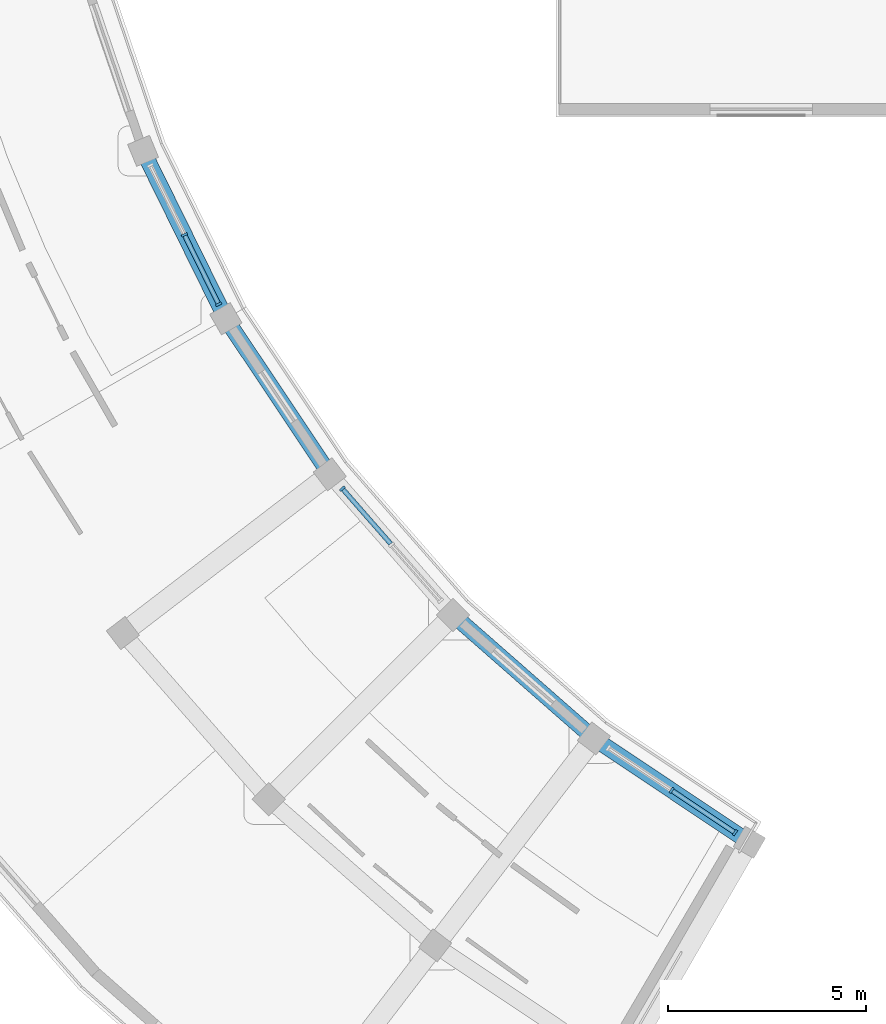
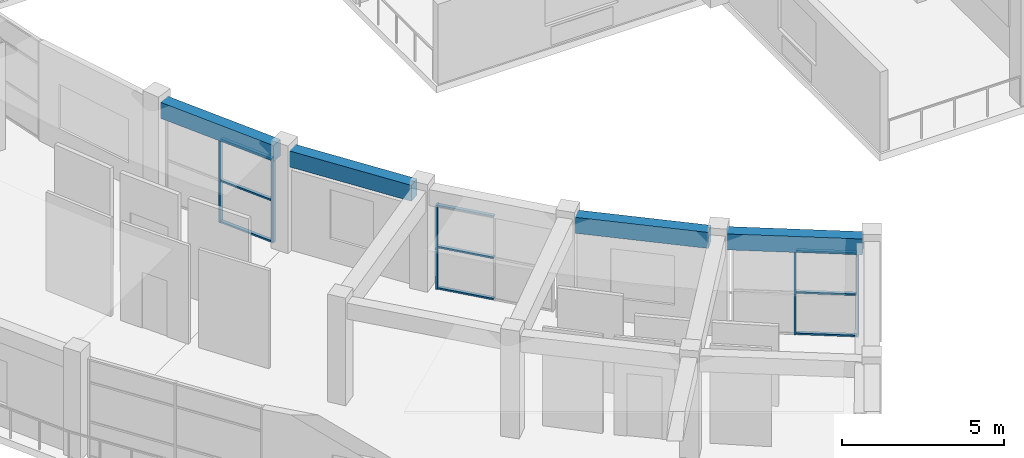
# One storey, part 14 of 70: 14 members, 4 beams, 3 elements without a shape of their own.
"""IFC4 building model written with IfcOpenShell, lengths in metres."""

import ifcopenshell
import ifcopenshell.guid

model = None  # the IFC model being written
_history = None  # IfcOwnerHistory: only IFC2X3 demands one
_inside = {}  # id of a spatial element -> (the spatial element, [elements in it])
_under = {}  # id of a project, library or spatial element -> (it, [spatial elements below it])
_declared = {}  # id of a project -> (the project, [libraries it declares])
_typed = {}  # id of a type object -> (the type object, [elements of that type])
_made_of = {}  # id of a material, layer set ... -> (it, [elements and type objects made of it])


def new_model(schema):
    """Start an empty IFC model of exactly this schema.

    Asked for "IFC4X3", IfcOpenShell would pick the latest addendum, in which some entities
    have other attributes; the version numbers below select the first issue.
    IFC2X3 requires an IfcOwnerHistory on every rooted entity: one is made here for all.
    """
    global model, _history
    if schema == "IFC4X3":
        model = ifcopenshell.file(schema_version=(4, 3, 0, 0))
    else:
        model = ifcopenshell.file(schema=schema)
    _inside.clear()
    _under.clear()
    _declared.clear()
    _typed.clear()
    _made_of.clear()
    _history = None
    if model.schema == "IFC2X3":
        org = make("IfcOrganization", Name="unknown")
        user = make(
            "IfcPersonAndOrganization",
            ThePerson=make("IfcPerson", FamilyName="unknown"),
            TheOrganization=org,
        )
        app = make(
            "IfcApplication",
            ApplicationDeveloper=org,
            Version="unknown",
            ApplicationFullName="unknown",
            ApplicationIdentifier="unknown",
        )
        _history = make(
            "IfcOwnerHistory",
            OwningUser=user,
            OwningApplication=app,
            ChangeAction="ADDED",
            CreationDate=0,
        )
    return model


def make(cls, **values):
    """One entity of the class cls with the attributes given. An attribute that is None is left unset."""
    return model.create_entity(
        cls, **{name: value for name, value in values.items() if value is not None}
    )


def rooted(cls, **values):
    """An entity with a GlobalId (a new one), such as an element, a storey or a relation."""
    return make(cls, GlobalId=ifcopenshell.guid.new(), OwnerHistory=_history, **values)


def si_unit(unit_type, name, prefix=None):
    """IfcSIUnit, for example si_unit("LENGTHUNIT", "METRE", prefix="MILLI")."""
    return make("IfcSIUnit", UnitType=unit_type, Prefix=prefix, Name=name)


def assignment(units):
    """IfcUnitAssignment: the units of a project."""
    return None if units is None else make("IfcUnitAssignment", Units=units)


def point(xyz):
    """IfcCartesianPoint."""
    return None if xyz is None else make("IfcCartesianPoint", Coordinates=xyz)


def direction(xyz):
    """IfcDirection."""
    return None if xyz is None else make("IfcDirection", DirectionRatios=xyz)


def frame(location, z_axis=None, x_axis=None):
    """IfcAxis2Placement3D, a coordinate frame: its origin and axes. An axis left out is left unset."""
    return make(
        "IfcAxis2Placement3D",
        Location=point(location),
        Axis=direction(z_axis),
        RefDirection=direction(x_axis),
    )


def frame_2d(location, x_axis=None):
    """IfcAxis2Placement2D, a coordinate frame in the plane: its origin and x axis."""
    return make(
        "IfcAxis2Placement2D", Location=point(location), RefDirection=direction(x_axis)
    )


def origin():
    """The frame at (0, 0, 0) with its axes left unset."""
    return frame((0.0, 0.0, 0.0))


def origin_2d():
    """The frame at (0, 0) in the plane with its x axis left unset."""
    return frame_2d((0.0, 0.0))


def place(relative_to, where):
    """IfcLocalPlacement: puts the frame where relative to a parent placement (None: the world)."""
    return make(
        "IfcLocalPlacement", PlacementRelTo=relative_to, RelativePlacement=where
    )


def context(
    kind, dimensions, precision=None, world=None, true_north=None, identifier=None
):
    """IfcGeometricRepresentationContext, for example the 3D "Model" context."""
    return make(
        "IfcGeometricRepresentationContext",
        ContextIdentifier=identifier,
        ContextType=kind,
        CoordinateSpaceDimension=dimensions,
        Precision=precision,
        WorldCoordinateSystem=world,
        TrueNorth=true_north,
    )


def subcontext(parent, identifier, kind, view, scale=None):
    """IfcGeometricRepresentationSubContext, for example "Body" below "Model"."""
    return make(
        "IfcGeometricRepresentationSubContext",
        ContextIdentifier=identifier,
        ContextType=kind,
        ParentContext=parent,
        TargetScale=scale,
        TargetView=view,
    )


def project(units=None, contexts=None):
    """IfcProject with its units and contexts."""
    return rooted(
        "IfcProject",
        Name="project",
        RepresentationContexts=contexts,
        UnitsInContext=assignment(units),
    )


def spatial(cls, under=None, at=None, **own):
    """A site, building, storey or space (cls), placed at a placement, below another one or the project."""
    s = rooted(cls, ObjectPlacement=at, **own)
    if under is not None:
        _under.setdefault(under.id(), (under, []))[1].append(s)
    return s


def profile(cls, at=None, kind="AREA", **sizes):
    """A parametric profile (cls). Its sizes go by their IFC names, for example OverallWidth=200.0."""
    return make(cls, ProfileType=kind, Position=at, **sizes)


def rectangle(**sizes):
    """IfcRectangleProfileDef."""
    return profile("IfcRectangleProfileDef", **sizes)


def extrude(swept, where, along, depth):
    """IfcExtrudedAreaSolid: the profile swept, set in the frame where, extruded along a direction by depth."""
    return make(
        "IfcExtrudedAreaSolid",
        SweptArea=swept,
        Position=where,
        ExtrudedDirection=direction(along),
        Depth=depth,
    )


def shape(context_of_items, identifier, shape_type, items):
    """IfcShapeRepresentation: the items that make up one representation, for example the "Body"."""
    return make(
        "IfcShapeRepresentation",
        ContextOfItems=context_of_items,
        RepresentationIdentifier=identifier,
        RepresentationType=shape_type,
        Items=items,
    )


def material(Name=None, Category=None):
    """IfcMaterial."""
    return make("IfcMaterial", Name=Name, Category=Category)


def material_profile(
    of_material, cross_section, Name=None, Category=None, Priority=None
):
    """IfcMaterialProfile: a cross section and its material."""
    return make(
        "IfcMaterialProfile",
        Name=Name,
        Material=of_material,
        Profile=cross_section,
        Priority=Priority,
        Category=Category,
    )


def profile_set(profiles, Name=None, composite=None):
    """IfcMaterialProfileSet."""
    return make(
        "IfcMaterialProfileSet",
        Name=Name,
        MaterialProfiles=profiles,
        CompositeProfile=composite,
    )


def made_of(thing, what):
    """Note that an element or type object is made of a material, layer set ...; save() writes the relation."""
    if what is not None:
        _made_of.setdefault(what.id(), (what, []))[1].append(thing)
    return thing


def type_object(cls, material=None, **own):
    """A type object (cls), such as IfcWallType, which elements share."""
    return made_of(rooted(cls, **own), material)


def element(
    cls,
    number,
    at=None,
    inside=None,
    cuts=None,
    type_object=None,
    material=None,
    context=None,
    identifier="Body",
    shape_type=None,
    held_by="IfcProductDefinitionShape",
    body=None,
    shapes=None,
    **own,
):
    """One element of the class cls, such as IfcWall. Its Tag is "e" and its number.

    at: its placement. inside: the storey or other place that contains it. cuts: it is an
    opening in that element (IfcRelVoidsElement). A single representation is given by context,
    identifier, shape_type and body (its items); several are given by shapes. held_by: the class
    of the entity that holds the representations. save() writes the other relations.
    """
    e = rooted(cls, Tag="e%d" % number, ObjectPlacement=at, **own)
    if body is not None:
        shapes = [shape(context, identifier, shape_type, body)]
    if shapes is not None:
        e.Representation = make(held_by, Representations=shapes)
    if inside is not None:
        _inside.setdefault(inside.id(), (inside, []))[1].append(e)
    if cuts is not None:
        rooted(
            "IfcRelVoidsElement", RelatingBuildingElement=cuts, RelatedOpeningElement=e
        )
    if type_object is not None:
        _typed.setdefault(type_object.id(), (type_object, []))[1].append(e)
    return made_of(e, material)


def aggregate(whole, parts):
    """IfcRelAggregates: a whole, such as a stair, and the parts it consists of."""
    return rooted("IfcRelAggregates", RelatingObject=whole, RelatedObjects=parts)


def save(model, path):
    """Write the relations noted so far, then the file.

    IfcRelAggregates (storeys below a building ...), IfcRelContainedInSpatialStructure (elements
    in a storey), IfcRelDefinesByType, IfcRelAssociatesMaterial and IfcRelDeclares: one each for
    every whole, place, type object, material and project.
    """
    for whole, parts in _under.values():
        aggregate(whole, parts)
    for where, things in _inside.values():
        rooted(
            "IfcRelContainedInSpatialStructure",
            RelatedElements=things,
            RelatingStructure=where,
        )
    for kind, things in _typed.values():
        rooted("IfcRelDefinesByType", RelatedObjects=things, RelatingType=kind)
    for what, things in _made_of.values():
        rooted("IfcRelAssociatesMaterial", RelatedObjects=things, RelatingMaterial=what)
    for by, libraries in _declared.values():
        rooted("IfcRelDeclares", RelatingContext=by, RelatedDefinitions=libraries)
    model.write(path)


model = new_model("IFC4")

# Units and contexts
model_context = context("Model", 3, precision=1e-05, world=origin(), true_north=direction((0.0, 1.0)))
body_context = subcontext(model_context, "Body", "Model", "MODEL_VIEW")
ifc_project = project(units=[si_unit("LENGTHUNIT", "METRE"), si_unit("AREAUNIT", "SQUARE_METRE"), si_unit("VOLUMEUNIT", "CUBIC_METRE"), si_unit("PLANEANGLEUNIT", "RADIAN"), si_unit("MASSUNIT", "GRAM", prefix="KILO")], contexts=[model_context])

# Site, building, storey
site_placement = place(None, origin())
site = spatial("IfcSite", under=ifc_project, at=site_placement, CompositionType="ELEMENT")
building_placement = place(site_placement, origin())
building = spatial("IfcBuilding", under=site, at=building_placement, Name="Saryqyr Civic Hall", CompositionType="ELEMENT")
storey_placement = place(building_placement, frame((0.0, 0.0, 13.199951171875)))
storey = spatial("IfcBuildingStorey", under=building, at=storey_placement, Name="L03", CompositionType="ELEMENT", Elevation=13.199951171875)

# Curtain wall, members
ifc_material_1 = material(Name="Anodised aluminium and triple low-E glass", Category="aluminium")
curtain_wall_type_1 = type_object("IfcCurtainWallType", Name="ENV-CW-STD-21", PredefinedType="NOTDEFINED", material=ifc_material_1)
curtain_wall_1_placement = place(storey_placement, origin())
curtain_wall_1 = element("IfcCurtainWall", 1, at=curtain_wall_1_placement, inside=storey, type_object=curtain_wall_type_1, Name="Curtain wall V4-CWI-L03-05", PredefinedType="NOTDEFINED")
ifc_material_2 = material(Name="Anodised aluminium", Category="aluminium")
ifc_material_profile_1 = material_profile(ifc_material_2, rectangle(XDim=0.06005859375, YDim=0.159912109375, at=origin_2d()), Name="ALU MULLION 60x160")
ifc_profile_set_1 = profile_set([ifc_material_profile_1], Name="Anodised aluminium")
member_type_1 = type_object("IfcMemberType", Name="ENV-CW-MUL-180", PredefinedType="MULLION", material=ifc_profile_set_1)
member_1_placement = place(storey_placement, frame((24.602783203125, 68.0234375, 0.0), z_axis=(0.0, 0.0, 1.0), x_axis=(0.44226837931, -0.896882757479, 0.0)))
member_1 = element("IfcMember", 2, at=member_1_placement, type_object=member_type_1, Name="CW-21 mullion 2", PredefinedType="MULLION", context=body_context, shape_type="SweptSolid", body=[
    extrude(rectangle(XDim=0.06005859375, YDim=0.159912109375, at=origin_2d()), origin(), (0.0, 0.0, 1.0), 3.1650390625),
])
member_2_placement = place(storey_placement, frame((25.468994140625, 66.266845703125, 0.0), z_axis=(0.0, 0.0, 1.0), x_axis=(0.44226837931, -0.896882757479, 0.0)))
member_2 = element("IfcMember", 3, at=member_2_placement, type_object=member_type_1, Name="CW-21 mullion 3", PredefinedType="MULLION", context=body_context, shape_type="SweptSolid", body=[
    extrude(rectangle(XDim=0.06005859375, YDim=0.159912109375, at=origin_2d()), origin(), (0.0, 0.0, 1.0), 3.1650390625),
])

# Curtain wall, member
curtain_wall_type_2 = type_object("IfcCurtainWallType", Name="ENV-CW-STD-27", PredefinedType="NOTDEFINED", material=ifc_material_1)
curtain_wall_2_placement = place(storey_placement, origin())
curtain_wall_2 = element("IfcCurtainWall", 4, at=curtain_wall_2_placement, inside=storey, type_object=curtain_wall_type_2, Name="Curtain wall V4-CWI-L03-07", PredefinedType="NOTDEFINED")
member_3_placement = place(storey_placement, frame((28.5986328125, 61.600341796875, 0.0), z_axis=(0.0, 0.0, 1.0), x_axis=(0.65933402319, -0.751850148543, 0.0)))
member_3 = element("IfcMember", 5, at=member_3_placement, type_object=member_type_1, Name="CW-27 mullion 1", PredefinedType="MULLION", context=body_context, shape_type="SweptSolid", body=[
    extrude(rectangle(XDim=0.06005859375, YDim=0.159912109375, at=origin_2d()), origin(), (0.0, 0.0, 1.0), 3.1650390625),
])

# Curtain wall, members
curtain_wall_type_3 = type_object("IfcCurtainWallType", Name="ENV-CW-STD-25", PredefinedType="NOTDEFINED", material=ifc_material_1)
curtain_wall_3_placement = place(storey_placement, origin())
curtain_wall_3 = element("IfcCurtainWall", 6, at=curtain_wall_3_placement, inside=storey, type_object=curtain_wall_type_3, Name="Curtain wall V4-CWI-L03-09", PredefinedType="NOTDEFINED")
member_4_placement = place(storey_placement, frame((36.931396484375, 53.96533203125, 0.0), z_axis=(0.0, 0.0, 1.0), x_axis=(0.831480397179, -0.555554091972, 0.0)))
member_4 = element("IfcMember", 7, at=member_4_placement, type_object=member_type_1, Name="CW-25 mullion 2", PredefinedType="MULLION", context=body_context, shape_type="SweptSolid", body=[
    extrude(rectangle(XDim=0.06005859375, YDim=0.159912109375, at=origin_2d()), origin(), (0.0, 0.0, 1.0), 3.1650390625),
])
member_5_placement = place(storey_placement, frame((38.53515625, 52.893798828125, 0.0), z_axis=(0.0, 0.0, 1.0), x_axis=(0.831480397179, -0.555554091972, 0.0)))
member_5 = element("IfcMember", 8, at=member_5_placement, type_object=member_type_1, Name="CW-25 mullion 3", PredefinedType="MULLION", context=body_context, shape_type="SweptSolid", body=[
    extrude(rectangle(XDim=0.06005859375, YDim=0.159912109375, at=origin_2d()), origin(), (0.0, 0.0, 1.0), 3.1650390625),
])

# Member
ifc_material_profile_2 = material_profile(ifc_material_2, rectangle(XDim=0.1201171875, YDim=0.06005859375, at=origin_2d()), Name="ALU TRANSOM 120x60")
ifc_profile_set_2 = profile_set([ifc_material_profile_2], Name="Anodised aluminium")
member_type_2 = type_object("IfcMemberType", Name="ENV-CW-TRN-150", PredefinedType="USERDEFINED", material=ifc_profile_set_2)
member_6_placement = place(storey_placement, frame((24.615966796875, 67.99658203125, 0.030029296875), z_axis=(0.442217386625, -0.89690790105, 0.0), x_axis=(0.89690790105, 0.442217386625, 0.0)))
member_6 = element("IfcMember", 9, at=member_6_placement, type_object=member_type_2, Name="CW-21 transom 2.1", ObjectType="TRANSOM", PredefinedType="USERDEFINED", context=body_context, shape_type="SweptSolid", body=[
    extrude(rectangle(XDim=0.1201171875, YDim=0.06005859375, at=origin_2d()), origin(), (0.0, 0.0, 1.0), 1.898681640625),
])

member_7_placement = place(storey_placement, frame((24.615966796875, 67.99658203125, 1.58203125), z_axis=(0.442217386625, -0.89690790105, 0.0), x_axis=(0.89690790105, 0.442217386625, 0.0)))
member_7 = element("IfcMember", 10, at=member_7_placement, type_object=member_type_2, Name="CW-21 transom 2.2", ObjectType="TRANSOM", PredefinedType="USERDEFINED", context=body_context, shape_type="SweptSolid", body=[
    extrude(rectangle(XDim=0.1201171875, YDim=0.06005859375, at=origin_2d()), origin(), (0.0, 0.0, 1.0), 1.898681640625),
])

member_8_placement = place(storey_placement, frame((24.615966796875, 67.99658203125, 3.135009765625), z_axis=(0.442217386625, -0.89690790105, 0.0), x_axis=(0.89690790105, 0.442217386625, 0.0)))
member_8 = element("IfcMember", 11, at=member_8_placement, type_object=member_type_2, Name="CW-21 transom 2.3", ObjectType="TRANSOM", PredefinedType="USERDEFINED", context=body_context, shape_type="SweptSolid", body=[
    extrude(rectangle(XDim=0.1201171875, YDim=0.06005859375, at=origin_2d()), origin(), (0.0, 0.0, 1.0), 1.898681640625),
])

aggregate(curtain_wall_1, [member_1, member_2, member_6, member_7, member_8])

member_9_placement = place(storey_placement, frame((28.618408203125, 61.57763671875, 0.030029296875), z_axis=(0.659309166122, -0.75187194619, 0.0), x_axis=(0.75187194619, 0.659309166122, 0.0)))
member_9 = element("IfcMember", 12, at=member_9_placement, type_object=member_type_2, Name="CW-27 transom 1.1", ObjectType="TRANSOM", PredefinedType="USERDEFINED", context=body_context, shape_type="SweptSolid", body=[
    extrude(rectangle(XDim=0.1201171875, YDim=0.06005859375, at=origin_2d()), origin(), (0.0, 0.0, 1.0), 1.8251953125),
])

member_10_placement = place(storey_placement, frame((28.618408203125, 61.57763671875, 1.58203125), z_axis=(0.659309166122, -0.75187194619, 0.0), x_axis=(0.75187194619, 0.659309166122, 0.0)))
member_10 = element("IfcMember", 13, at=member_10_placement, type_object=member_type_2, Name="CW-27 transom 1.2", ObjectType="TRANSOM", PredefinedType="USERDEFINED", context=body_context, shape_type="SweptSolid", body=[
    extrude(rectangle(XDim=0.1201171875, YDim=0.06005859375, at=origin_2d()), origin(), (0.0, 0.0, 1.0), 1.8251953125),
])

member_11_placement = place(storey_placement, frame((28.618408203125, 61.57763671875, 3.135009765625), z_axis=(0.659309166122, -0.75187194619, 0.0), x_axis=(0.75187194619, 0.659309166122, 0.0)))
member_11 = element("IfcMember", 14, at=member_11_placement, type_object=member_type_2, Name="CW-27 transom 1.3", ObjectType="TRANSOM", PredefinedType="USERDEFINED", context=body_context, shape_type="SweptSolid", body=[
    extrude(rectangle(XDim=0.1201171875, YDim=0.06005859375, at=origin_2d()), origin(), (0.0, 0.0, 1.0), 1.8251953125),
])

aggregate(curtain_wall_2, [member_3, member_9, member_10, member_11])

member_12_placement = place(storey_placement, frame((36.956298828125, 53.948486328125, 0.030029296875), z_axis=(0.831487045435, -0.555544141607, 0.0), x_axis=(0.555544141607, 0.831487045435, 0.0)))
member_12 = element("IfcMember", 15, at=member_12_placement, type_object=member_type_2, Name="CW-25 transom 2.1", ObjectType="TRANSOM", PredefinedType="USERDEFINED", context=body_context, shape_type="SweptSolid", body=[
    extrude(rectangle(XDim=0.1201171875, YDim=0.06005859375, at=origin_2d()), origin(), (0.0, 0.0, 1.0), 1.86865234375),
])

member_13_placement = place(storey_placement, frame((36.956298828125, 53.948486328125, 1.58203125), z_axis=(0.831487045435, -0.555544141607, 0.0), x_axis=(0.555544141607, 0.831487045435, 0.0)))
member_13 = element("IfcMember", 16, at=member_13_placement, type_object=member_type_2, Name="CW-25 transom 2.2", ObjectType="TRANSOM", PredefinedType="USERDEFINED", context=body_context, shape_type="SweptSolid", body=[
    extrude(rectangle(XDim=0.1201171875, YDim=0.06005859375, at=origin_2d()), origin(), (0.0, 0.0, 1.0), 1.86865234375),
])

member_14_placement = place(storey_placement, frame((36.956298828125, 53.948486328125, 3.135009765625), z_axis=(0.831487045435, -0.555544141607, 0.0), x_axis=(0.555544141607, 0.831487045435, 0.0)))
member_14 = element("IfcMember", 17, at=member_14_placement, type_object=member_type_2, Name="CW-25 transom 2.3", ObjectType="TRANSOM", PredefinedType="USERDEFINED", context=body_context, shape_type="SweptSolid", body=[
    extrude(rectangle(XDim=0.1201171875, YDim=0.06005859375, at=origin_2d()), origin(), (0.0, 0.0, 1.0), 1.86865234375),
])

aggregate(curtain_wall_3, [member_4, member_5, member_12, member_13, member_14])

# Beams
ifc_material_3 = material(Name="Concrete C35/45", Category="concrete")
ifc_material_profile_3 = material_profile(ifc_material_3, rectangle(XDim=0.39990234375, YDim=0.60009765625, at=origin_2d()), Name="RC 400x600")
ifc_profile_set_3 = profile_set([ifc_material_profile_3], Name="Concrete C35/45")
beam_type = type_object("IfcBeamType", Name="STR-BM-RC400x600-EXT", PredefinedType="BEAM", material=ifc_profile_set_3)
beam_placement = place(storey_placement, frame((23.67724609375, 69.900390625, 3.489990234375), z_axis=(0.442260347142, -0.896886718235, 0.0), x_axis=(0.896886718235, 0.442260347142, 0.0)))
element("IfcBeam", 18, at=beam_placement, inside=storey, type_object=beam_type, Name="Beam V4-CBM-IN05-L03", PredefinedType="BEAM", context=body_context, shape_type="SweptSolid", body=[
    extrude(rectangle(XDim=0.39990234375, YDim=0.60009765625, at=origin_2d()), origin(), (0.0, 0.0, 1.0), 4.185546875),
])
for number, where, z_axis, x_axis, name in (
    (19, (25.802734375, 65.67138671875, 3.489990234375), (0.555521098795, -0.831502440642, 0.0), (0.831502440642, 0.555521098795, 0.0), "Beam V4-CBM-IN06-L03"),
    (20, (31.609619140625, 58.221435546875, 3.489990234375), (0.751824557471, -0.659363203996, 0.0), (0.659363203996, 0.751824557471, 0.0), "Beam V4-CBM-IN08-L03"),
    (21, (35.19140625, 55.127685546875, 3.489990234375), (0.831502440642, -0.555521098795, 0.0), (0.555521098795, 0.831502440642, 0.0), "Beam V4-CBM-IN09-L03"),
):
    element("IfcBeam", number, at=place(storey_placement, frame(where, z_axis=z_axis, x_axis=x_axis)), inside=storey, type_object=beam_type, Name=name, PredefinedType="BEAM", context=body_context, shape_type="SweptSolid", body=[
        extrude(rectangle(XDim=0.39990234375, YDim=0.60009765625, at=origin_2d()), origin(), (0.0, 0.0, 1.0), 4.18505859375),
    ])

save(model, "model.ifc")
